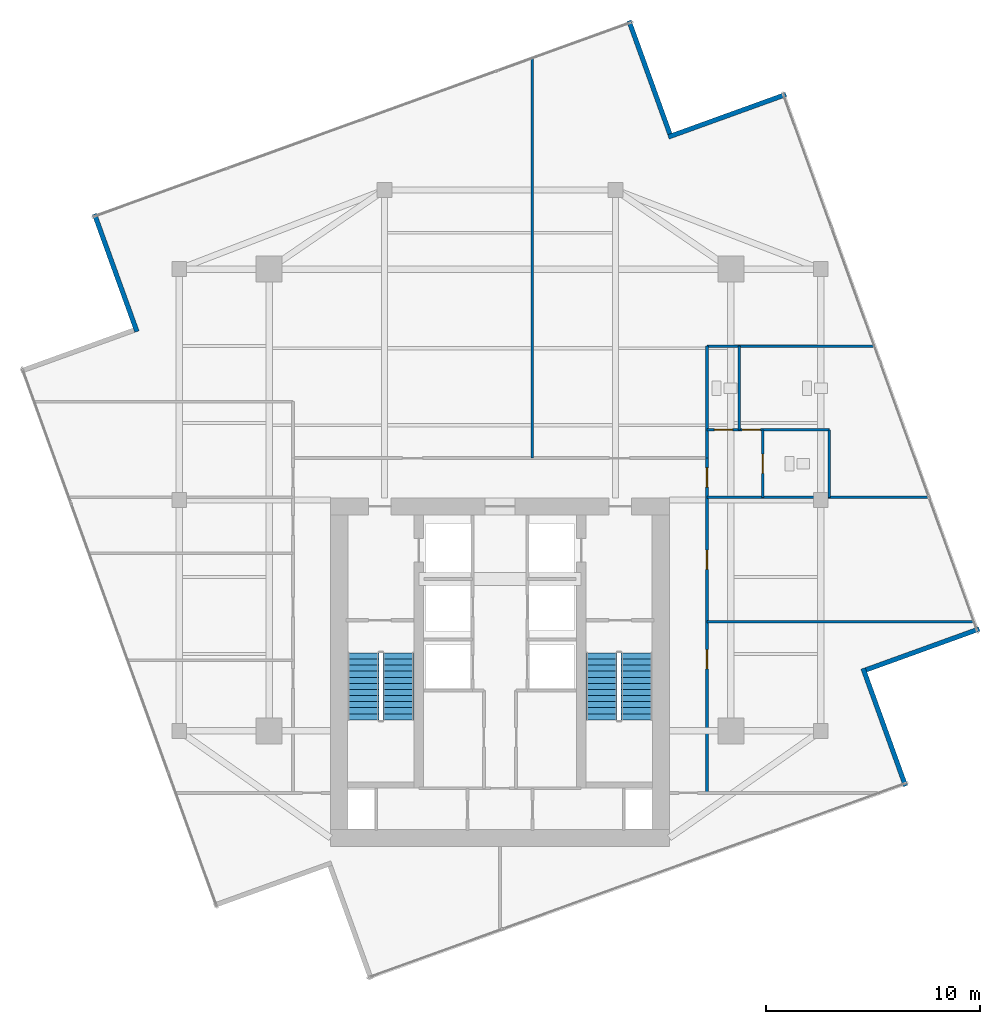
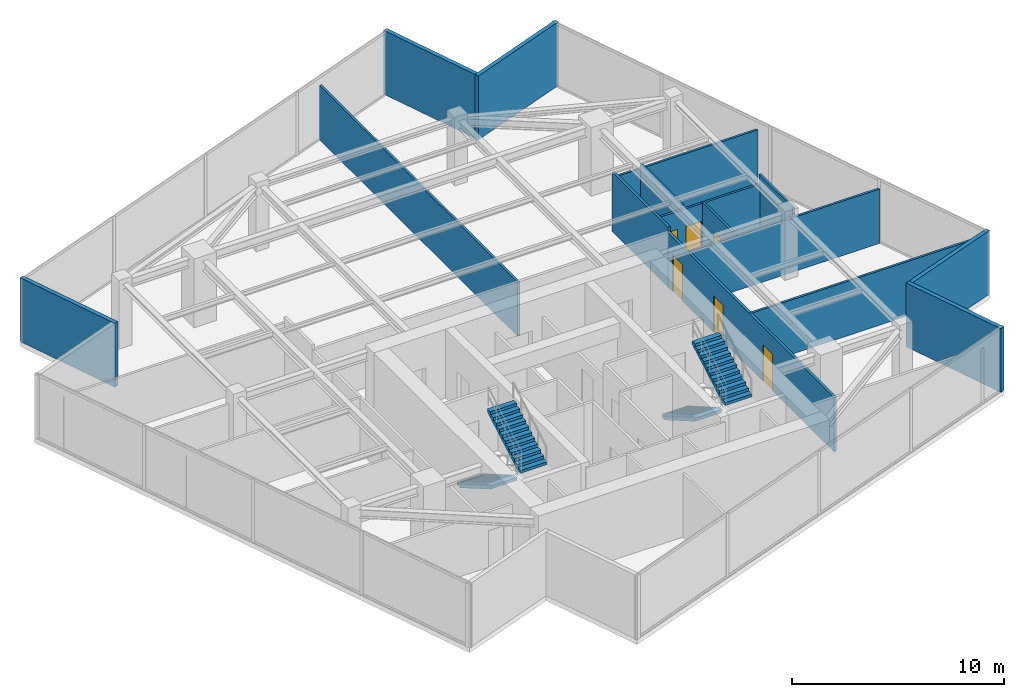
# One storey, part 19 of 21: 15 walls, 6 doors, 4 stair flights, 6 openings, 2 elements without a shape of their own.
"""IFC4 building model written with IfcOpenShell, lengths in metres."""

from ifc_helpers import new_model, si_unit, direction, frame, frame_2d, origin, place, context, subcontext, project, spatial, polyline, rectangle, outline, extrude, material, layer, layer_set, type_object, element, fill, aggregate, save


model = new_model("IFC4")

# Units and contexts
model_context = context("Model", 3, precision=1e-05, world=origin(), true_north=direction((0.0, 1.0)))
body_context = subcontext(model_context, "Body", "Model", "MODEL_VIEW")
ifc_project = project(units=[si_unit("LENGTHUNIT", "METRE"), si_unit("AREAUNIT", "SQUARE_METRE"), si_unit("VOLUMEUNIT", "CUBIC_METRE"), si_unit("PLANEANGLEUNIT", "RADIAN"), si_unit("MASSUNIT", "GRAM", prefix="KILO")], contexts=[model_context])

# Site, building, storey
site_placement = place(None, origin())
site = spatial("IfcSite", under=ifc_project, at=site_placement, CompositionType="ELEMENT")
building_placement = place(site_placement, origin())
building = spatial("IfcBuilding", under=site, at=building_placement, Name="Krantzveldt Concourse Tower", CompositionType="ELEMENT")
storey_placement = place(building_placement, frame((0.0, 0.0, 335.60009765625)))
storey = spatial("IfcBuildingStorey", under=building, at=storey_placement, Name="L82", CompositionType="ELEMENT", Elevation=335.60009765625)

# Walls
ifc_material_1 = material(Name="Anodised aluminium 6063-T6", Category="aluminium")
ifc_layer_1 = layer(ifc_material_1, 0.219970703125, Name="Anodised aluminium 6063-T6", Category="aluminium")
ifc_layer_set_1 = layer_set([ifc_layer_1], Name="Anodised aluminium 6063-T6 (WL-EXT-NOTCH220)")
wall_type_1 = type_object("IfcWallType", Name="WL-EXT-NOTCH220", PredefinedType="ELEMENTEDWALL", material=ifc_layer_set_1)
wall_1_placement = place(storey_placement, frame((43.94287109375, 43.820068359375, 0.0), z_axis=(0.0, 0.0, 1.0), x_axis=(-0.339968670636, 0.940436761822, 0.0)))
element("IfcWall", 1, at=wall_1_placement, inside=storey, type_object=wall_type_1, Name="EW-L82-NCH00", PredefinedType="ELEMENTEDWALL", context=body_context, shape_type="SweptSolid", body=[
    extrude(rectangle(XDim=5.625, YDim=0.219970703125, at=frame_2d((2.8125, 0.0))), origin(), (0.0, 0.0, 1.0), 3.669921875),
])
wall_2_placement = place(storey_placement, frame((17.03369140625, 40.07373046875, 0.0), z_axis=(0.0, 0.0, 1.0), x_axis=(0.339948253463, -0.940444142396, 0.0)))
element("IfcWall", 2, at=wall_2_placement, inside=storey, type_object=wall_type_1, Name="EW-L82-NCH02", PredefinedType="ELEMENTEDWALL", context=body_context, shape_type="SweptSolid", body=[
    extrude(rectangle(XDim=5.84521484375, YDim=0.219970703125, at=frame_2d((2.922607421875, 0.0))), origin(), (0.0, 0.0, 1.0), 3.669921875),
])
wall_3_placement = place(storey_placement, frame((54.96630859375, 13.326416015625, 0.0), z_axis=(0.0, 0.0, 1.0), x_axis=(-0.339961607222, 0.940439315222, 0.0)))
element("IfcWall", 3, at=wall_3_placement, inside=storey, type_object=wall_type_1, Name="EW-L82-NCH08", PredefinedType="ELEMENTEDWALL", context=body_context, shape_type="SweptSolid", body=[
    extrude(rectangle(XDim=5.844970703125, YDim=0.219970703125, at=frame_2d((2.92236328125, 0.0))), origin(), (0.0, 0.0, 1.0), 3.669921875),
])
wall_4_placement = place(storey_placement, frame((53.1201171875, 18.757080078125, 0.0), z_axis=(0.0, 0.0, 1.0), x_axis=(0.940431745156, 0.339982547644, 0.0)))
element("IfcWall", 4, at=wall_4_placement, inside=storey, type_object=wall_type_1, Name="EW-L82-NCH09", PredefinedType="ELEMENTEDWALL", context=body_context, shape_type="SweptSolid", body=[
    extrude(rectangle(XDim=5.624755859375, YDim=0.219970703125, at=frame_2d((2.8125, 0.0))), origin(), (0.0, 0.0, 1.0), 3.669921875),
])
wall_5_placement = place(storey_placement, frame((49.37353515625, 45.666259765625, 0.0), z_axis=(0.0, 0.0, 1.0), x_axis=(-0.940439315222, -0.339961607222, 0.0)))
element("IfcWall", 5, at=wall_5_placement, inside=storey, type_object=wall_type_1, Name="EW-L82-NCH11", PredefinedType="ELEMENTEDWALL", context=body_context, shape_type="SweptSolid", body=[
    extrude(rectangle(XDim=5.844970703125, YDim=0.219970703125, at=frame_2d((2.92236328125, 0.0))), origin(), (0.0, 0.0, 1.0), 3.669921875),
])
ifc_material_2 = material(Name="Fire-rated gypsum plasterboard on steel stud", Category="steel")
ifc_layer_2 = layer(ifc_material_2, 0.1201171875, Name="Fire-rated gypsum plasterboard on steel stud", Category="steel")
ifc_layer_set_2 = layer_set([ifc_layer_2], Name="Fire-rated gypsum plasterboard on steel stud (WL-PART-120)")
wall_type_2 = type_object("IfcWallType", Name="WL-PART-120", PredefinedType="PARTITIONING", material=ifc_layer_set_2)
wall_6_placement = place(storey_placement, frame((45.679931640625, 26.820068359375, 0.0), z_axis=(0.0, 0.0, 1.0), x_axis=(1.0, 0.0, 0.0)))
element("IfcWall", 6, at=wall_6_placement, inside=storey, type_object=wall_type_2, Name="WP-L82-WCBS", PredefinedType="PARTITIONING", context=body_context, shape_type="SweptSolid", body=[
    extrude(rectangle(XDim=10.38427734375, YDim=0.1201171875, at=frame_2d((5.192138671875, 0.0))), origin(), (0.0, 0.0, 1.0), 3.1298828125),
])
wall_7_placement = place(storey_placement, frame((45.679931640625, 33.89990234375, 0.0), z_axis=(0.0, 0.0, 1.0), x_axis=(1.0, 0.0, 0.0)))
element("IfcWall", 7, at=wall_7_placement, inside=storey, type_object=wall_type_2, Name="WP-L82-WCBN", PredefinedType="PARTITIONING", context=body_context, shape_type="SweptSolid", body=[
    extrude(rectangle(XDim=7.824951171875, YDim=0.1201171875, at=frame_2d((3.91259765625, 0.0))), origin(), (0.0, 0.0, 1.0), 3.1298828125),
])

# Wall, openings, doors
wall_8_placement = place(storey_placement, frame((45.679931640625, 29.97998046875, 0.0), z_axis=(0.0, 0.0, 1.0), x_axis=(1.0, 0.0, 0.0)))
wall_8 = element("IfcWall", 8, at=wall_8_placement, inside=storey, type_object=wall_type_2, Name="WP-L82-WCMH", PredefinedType="PARTITIONING", context=body_context, shape_type="SweptSolid", body=[
    extrude(rectangle(XDim=5.719970703125, YDim=0.1201171875, at=frame_2d((2.85986328125, 0.0))), origin(), (0.0, 0.0, 1.0), 3.1298828125),
])
opening_1_placement = place(wall_8_placement, frame((1.64501953125, 0.0, 0.0)))
opening_1 = element("IfcOpeningElement", 9, at=opening_1_placement, cuts=wall_8, Name="Opening D-IN085", PredefinedType="OPENING", context=body_context, shape_type="SweptSolid", body=[
    extrude(rectangle(XDim=0.85009765625, YDim=2.10009765625, at=frame_2d((0.425048828125, 1.050048828125))), frame((0.0, 0.070068359375, 0.0), z_axis=(0.0, -1.0, 0.0), x_axis=(1.0, 0.0, 0.0)), (0.0, 0.0, 1.0), 0.14013671875),
])
opening_2_placement = place(wall_8_placement, frame((0.344970703125, 0.0, 0.0)))
opening_2 = element("IfcOpeningElement", 10, at=opening_2_placement, cuts=wall_8, Name="Opening D-IN085", PredefinedType="OPENING", context=body_context, shape_type="SweptSolid", body=[
    extrude(rectangle(XDim=0.85009765625, YDim=2.10009765625, at=frame_2d((0.425048828125, 1.050048828125))), frame((0.0, 0.070068359375, 0.0), z_axis=(0.0, -1.0, 0.0), x_axis=(1.0, 0.0, 0.0)), (0.0, 0.0, 1.0), 0.14013671875),
])
ifc_material_3 = material(Name="Hardwood timber", Category="wood")
door_type_1 = type_object("IfcDoorType", Name="DR-INT-850", OperationType="SINGLE_SWING_LEFT", PredefinedType="DOOR", material=ifc_material_3)
door_1_placement = place(opening_1_placement, origin())
door_1 = element("IfcDoor", 11, at=door_1_placement, inside=storey, type_object=door_type_1, Name="DR-L82-WCM", OperationType="SINGLE_SWING_RIGHT", OverallHeight=2.10009765625, OverallWidth=0.85009765625, PredefinedType="DOOR", context=body_context, shape_type="SweptSolid", body=[
    extrude(rectangle(XDim=0.85009765625, YDim=2.10009765625, at=frame_2d((0.425048828125, 1.050048828125))), frame((0.0, 0.02490234375, 0.0), z_axis=(0.0, -1.0, 0.0), x_axis=(1.0, 0.0, 0.0)), (0.0, 0.0, 1.0), 0.050048828125),
])
fill(opening_1, door_1)
door_2_placement = place(opening_2_placement, origin())
door_2 = element("IfcDoor", 12, at=door_2_placement, inside=storey, type_object=door_type_1, Name="DR-L82-WCF", OperationType="SINGLE_SWING_LEFT", OverallHeight=2.10009765625, OverallWidth=0.85009765625, PredefinedType="DOOR", context=body_context, shape_type="SweptSolid", body=[
    extrude(rectangle(XDim=0.85009765625, YDim=2.10009765625, at=frame_2d((0.425048828125, 1.050048828125))), frame((0.0, 0.02490234375, 0.0), z_axis=(0.0, -1.0, 0.0), x_axis=(1.0, 0.0, 0.0)), (0.0, 0.0, 1.0), 0.050048828125),
])
fill(opening_2, door_2)

# Wall
wall_9_placement = place(storey_placement, frame((51.39990234375, 26.820068359375, 0.0), z_axis=(0.0, 0.0, 1.0), x_axis=(0.0, 1.0, 0.0)))
element("IfcWall", 13, at=wall_9_placement, inside=storey, type_object=wall_type_2, Name="WP-L82-WCAR", PredefinedType="PARTITIONING", context=body_context, shape_type="SweptSolid", body=[
    extrude(rectangle(XDim=3.159912109375, YDim=0.1201171875, at=frame_2d((1.580078125, 0.0))), origin(), (0.0, 0.0, 1.0), 3.669921875),
])

# Wall, opening, door
wall_10_placement = place(storey_placement, frame((48.280029296875, 26.820068359375, 0.0), z_axis=(0.0, 0.0, 1.0), x_axis=(0.0, 1.0, 0.0)))
wall_10 = element("IfcWall", 14, at=wall_10_placement, inside=storey, type_object=wall_type_2, Name="WP-L82-WCAV", PredefinedType="PARTITIONING", context=body_context, shape_type="SweptSolid", body=[
    extrude(rectangle(XDim=3.159912109375, YDim=0.1201171875, at=frame_2d((1.580078125, 0.0))), origin(), (0.0, 0.0, 1.0), 3.179931640625),
])
opening_3_placement = place(wall_10_placement, frame((1.1298828125, 0.0, 0.0)))
opening_3 = element("IfcOpeningElement", 15, at=opening_3_placement, cuts=wall_10, Name="Opening D-IN090", PredefinedType="OPENING", context=body_context, shape_type="SweptSolid", body=[
    extrude(rectangle(XDim=0.89990234375, YDim=2.10009765625, at=frame_2d((0.449951171875, 1.050048828125))), frame((0.0, 0.070068359375, 0.0), z_axis=(0.0, -1.0, 0.0), x_axis=(1.0, 0.0, 0.0)), (0.0, 0.0, 1.0), 0.14013671875),
])
door_type_2 = type_object("IfcDoorType", Name="DR-INT-900", OperationType="SINGLE_SWING_LEFT", PredefinedType="DOOR", material=ifc_material_3)
door_3_placement = place(opening_3_placement, origin())
door_3 = element("IfcDoor", 16, at=door_3_placement, inside=storey, type_object=door_type_2, Name="DR-L82-WCA", OperationType="SINGLE_SWING_RIGHT", OverallHeight=2.10009765625, OverallWidth=0.89990234375, PredefinedType="DOOR", context=body_context, shape_type="SweptSolid", body=[
    extrude(rectangle(XDim=0.89990234375, YDim=2.10009765625, at=frame_2d((0.449951171875, 1.050048828125))), frame((0.0, 0.02490234375, 0.0), z_axis=(0.0, -1.0, 0.0), x_axis=(1.0, 0.0, 0.0)), (0.0, 0.0, 1.0), 0.050048828125),
])
fill(opening_3, door_3)

# Walls
wall_11_placement = place(storey_placement, frame((47.179931640625, 29.97998046875, 0.0), z_axis=(0.0, 0.0, 1.0), x_axis=(0.0, 1.0, 0.0)))
element("IfcWall", 17, at=wall_11_placement, inside=storey, type_object=wall_type_2, Name="WP-L82-WCFD", PredefinedType="PARTITIONING", context=body_context, shape_type="SweptSolid", body=[
    extrude(rectangle(XDim=3.919921875, YDim=0.1201171875, at=frame_2d((1.9599609375, 0.0))), origin(), (0.0, 0.0, 1.0), 3.369873046875),
])
wall_12_placement = place(storey_placement, frame((37.5, 28.659912109375, 0.0), z_axis=(0.0, 0.0, 1.0), x_axis=(0.0, 1.0, 0.0)))
element("IfcWall", 18, at=wall_12_placement, inside=storey, type_object=wall_type_2, Name="WP-L82-ND1", PredefinedType="PARTITIONING", context=body_context, shape_type="SweptSolid", body=[
    extrude(rectangle(XDim=18.68994140625, YDim=0.1201171875, at=frame_2d((9.344970703125, 0.0))), origin(), (0.0, 0.0, 1.0), 3.1298828125),
])
wall_13_placement = place(storey_placement, frame((45.679931640625, 21.0, 0.0), z_axis=(0.0, 0.0, 1.0), x_axis=(1.0, 0.0, 0.0)))
element("IfcWall", 19, at=wall_13_placement, inside=storey, type_object=wall_type_2, Name="WP-L82-ED1", PredefinedType="PARTITIONING", context=body_context, shape_type="SweptSolid", body=[
    extrude(rectangle(XDim=12.48828125, YDim=0.1201171875, at=frame_2d((6.244140625, 0.0))), origin(), (0.0, 0.0, 1.0), 3.1298828125),
])

# Wall, openings, doors
ifc_layer_3 = layer(ifc_material_2, 0.139892578125, Name="Fire-rated gypsum plasterboard on steel stud", Category="steel")
ifc_layer_set_3 = layer_set([ifc_layer_3], Name="Fire-rated gypsum plasterboard on steel stud (WL-PART-140)")
wall_type_3 = type_object("IfcWallType", Name="WL-PART-140", PredefinedType="PARTITIONING", material=ifc_layer_set_3)
wall_14_placement = place(storey_placement, frame((45.679931640625, 13.0, 0.0), z_axis=(0.0, 0.0, 1.0), x_axis=(0.0, 1.0, 0.0)))
wall_14 = element("IfcWall", 20, at=wall_14_placement, inside=storey, type_object=wall_type_3, Name="WP-L82-CEAST", PredefinedType="PARTITIONING", context=body_context, shape_type="SweptSolid", body=[
    extrude(rectangle(XDim=15.659912109375, YDim=0.139892578125, at=frame_2d((7.830078125, 0.0))), origin(), (0.0, 0.0, 1.0), 3.1298828125),
])
opening_4_placement = place(wall_14_placement, frame((14.300048828125, 0.0, 0.0)))
opening_4 = element("IfcOpeningElement", 21, at=opening_4_placement, cuts=wall_14, Name="Opening D-IN090", PredefinedType="OPENING", context=body_context, shape_type="SweptSolid", body=[
    extrude(rectangle(XDim=0.89990234375, YDim=2.10009765625, at=frame_2d((0.449951171875, 1.050048828125))), frame((0.0, 0.080078125, 0.0), z_axis=(0.0, -1.0, 0.0), x_axis=(1.0, 0.0, 0.0)), (0.0, 0.0, 1.0), 0.159912109375),
])
opening_5_placement = place(wall_14_placement, frame((5.800048828125, 0.0, 0.0)))
opening_5 = element("IfcOpeningElement", 22, at=opening_5_placement, cuts=wall_14, Name="Opening D-IN090", PredefinedType="OPENING", context=body_context, shape_type="SweptSolid", body=[
    extrude(rectangle(XDim=0.89990234375, YDim=2.10009765625, at=frame_2d((0.449951171875, 1.050048828125))), frame((0.0, 0.080078125, 0.0), z_axis=(0.0, -1.0, 0.0), x_axis=(1.0, 0.0, 0.0)), (0.0, 0.0, 1.0), 0.159912109375),
])
opening_6_placement = place(wall_14_placement, frame((10.4599609375, 0.0, 0.0)))
opening_6 = element("IfcOpeningElement", 23, at=opening_6_placement, cuts=wall_14, Name="Opening D-IN090", PredefinedType="OPENING", context=body_context, shape_type="SweptSolid", body=[
    extrude(rectangle(XDim=0.89990234375, YDim=2.10009765625, at=frame_2d((0.449951171875, 1.050048828125))), frame((0.0, 0.080078125, 0.0), z_axis=(0.0, -1.0, 0.0), x_axis=(1.0, 0.0, 0.0)), (0.0, 0.0, 1.0), 0.159912109375),
])
door_4_placement = place(opening_4_placement, origin())
door_4 = element("IfcDoor", 24, at=door_4_placement, inside=storey, type_object=door_type_2, Name="DR-L82-WCV", OperationType="SINGLE_SWING_RIGHT", OverallHeight=2.10009765625, OverallWidth=0.89990234375, PredefinedType="DOOR", context=body_context, shape_type="SweptSolid", body=[
    extrude(rectangle(XDim=0.89990234375, YDim=2.10009765625, at=frame_2d((0.449951171875, 1.050048828125))), frame((0.0, 0.02490234375, 0.0), z_axis=(0.0, -1.0, 0.0), x_axis=(1.0, 0.0, 0.0)), (0.0, 0.0, 1.0), 0.050048828125),
])
fill(opening_4, door_4)
door_5_placement = place(opening_5_placement, origin())
door_5 = element("IfcDoor", 25, at=door_5_placement, inside=storey, type_object=door_type_2, Name="DR-L82-ER1", OperationType="SINGLE_SWING_LEFT", OverallHeight=2.10009765625, OverallWidth=0.89990234375, PredefinedType="DOOR", context=body_context, shape_type="SweptSolid", body=[
    extrude(rectangle(XDim=0.89990234375, YDim=2.10009765625, at=frame_2d((0.449951171875, 1.050048828125))), frame((0.0, 0.02490234375, 0.0), z_axis=(0.0, -1.0, 0.0), x_axis=(1.0, 0.0, 0.0)), (0.0, 0.0, 1.0), 0.050048828125),
])
fill(opening_5, door_5)
door_6_placement = place(opening_6_placement, origin())
door_6 = element("IfcDoor", 26, at=door_6_placement, inside=storey, type_object=door_type_2, Name="DR-L82-ER2", OperationType="SINGLE_SWING_LEFT", OverallHeight=2.10009765625, OverallWidth=0.89990234375, PredefinedType="DOOR", context=body_context, shape_type="SweptSolid", body=[
    extrude(rectangle(XDim=0.89990234375, YDim=2.10009765625, at=frame_2d((0.449951171875, 1.050048828125))), frame((0.0, 0.02490234375, 0.0), z_axis=(0.0, -1.0, 0.0), x_axis=(1.0, 0.0, 0.0)), (0.0, 0.0, 1.0), 0.050048828125),
])
fill(opening_6, door_6)

# Wall
wall_15_placement = place(storey_placement, frame((45.679931640625, 28.659912109375, 0.0), z_axis=(0.0, 0.0, 1.0), x_axis=(0.0, 1.0, 0.0)))
element("IfcWall", 27, at=wall_15_placement, inside=storey, type_object=wall_type_3, Name="WP-L82-NER", PredefinedType="PARTITIONING", context=body_context, shape_type="SweptSolid", body=[
    extrude(rectangle(XDim=5.239990234375, YDim=0.139892578125, at=frame_2d((2.6201171875, 0.0))), origin(), (0.0, 0.0, 1.0), 3.429931640625),
])

# Stair, stair flights
ifc_material_4 = material(Name="Precast concrete C40/50", Category="concrete")
stair_type = type_object("IfcStairType", Name="STR-CORE-DOGLEG", PredefinedType="HALF_TURN_STAIR", material=ifc_material_4)
stair_1_placement = place(storey_placement, origin())
stair_1 = element("IfcStair", 28, at=stair_1_placement, inside=storey, type_object=stair_type, Name="L82 Protected Escape Stair ST-1", PredefinedType="HALF_TURN_STAIR")
stair_flight_type = type_object("IfcStairFlightType", Name="STF-CORE-1450", PredefinedType="STRAIGHT", material=ifc_material_4)
stair_flight_1_placement = place(storey_placement, frame((29.60498046875, 19.550048828125, 0.0), z_axis=(0.0, 0.0, 1.0), x_axis=(0.0, -1.0, 0.0)))
stair_flight_1 = element("IfcStairFlight", 29, at=stair_flight_1_placement, type_object=stair_flight_type, Name="ST-1 flight 1", NumberOfRisers=12, NumberOfTreads=11, PredefinedType="STRAIGHT", RiserHeight=0.164583333, TreadLength=0.285, context=body_context, shape_type="SweptSolid", body=[
    extrude(outline(polyline([(0.0, 0.0), (0.0, 0.16455078125), (0.284912109375, 0.16455078125), (0.284912109375, 0.3291015625), (0.570068359375, 0.3291015625), (0.570068359375, 0.49365234375), (0.85498046875, 0.49365234375), (0.85498046875, 0.658447265625), (1.139892578125, 0.658447265625), (1.139892578125, 0.822998046875), (1.425048828125, 0.822998046875), (1.425048828125, 0.987548828125), (1.7099609375, 0.987548828125), (1.7099609375, 1.152099609375), (1.9951171875, 1.152099609375), (1.9951171875, 1.316650390625), (2.280029296875, 1.316650390625), (2.280029296875, 1.481201171875), (2.56494140625, 1.481201171875), (2.56494140625, 1.645751953125), (2.85009765625, 1.645751953125), (2.85009765625, 1.810302734375), (3.135009765625, 1.810302734375), (3.135009765625, 1.97509765625), (3.135009765625, 1.63720703125), (0.2998046875, 0.0), (0.0, 0.0)])), frame((0.0, 0.72509765625, 0.0), z_axis=(0.0, -1.0, 0.0), x_axis=(1.0, 0.0, 0.0)), (0.0, 0.0, 1.0), 1.449951171875),
])
stair_flight_2_placement = place(storey_placement, frame((31.2548828125, 16.4150390625, 1.974853515625), z_axis=(0.0, 0.0, 1.0), x_axis=(0.0, 1.0, 0.0)))
stair_flight_2 = element("IfcStairFlight", 30, at=stair_flight_2_placement, type_object=stair_flight_type, Name="ST-1 flight 2", NumberOfRisers=12, NumberOfTreads=11, PredefinedType="STRAIGHT", RiserHeight=0.164583333, TreadLength=0.285, context=body_context, shape_type="SweptSolid", body=[
    extrude(outline(polyline([(0.0, 0.0), (0.0, 0.16455078125), (0.284912109375, 0.16455078125), (0.284912109375, 0.3291015625), (0.570068359375, 0.3291015625), (0.570068359375, 0.49365234375), (0.85498046875, 0.49365234375), (0.85498046875, 0.658447265625), (1.139892578125, 0.658447265625), (1.139892578125, 0.822998046875), (1.425048828125, 0.822998046875), (1.425048828125, 0.987548828125), (1.7099609375, 0.987548828125), (1.7099609375, 1.152099609375), (1.9951171875, 1.152099609375), (1.9951171875, 1.316650390625), (2.280029296875, 1.316650390625), (2.280029296875, 1.481201171875), (2.56494140625, 1.481201171875), (2.56494140625, 1.645751953125), (2.85009765625, 1.645751953125), (2.85009765625, 1.810302734375), (3.135009765625, 1.810302734375), (3.135009765625, 1.97509765625), (3.135009765625, 1.63720703125), (0.2998046875, 0.0), (0.0, 0.0)])), frame((0.0, 0.72509765625, 0.0), z_axis=(0.0, -1.0, 0.0), x_axis=(1.0, 0.0, 0.0)), (0.0, 0.0, 1.0), 1.449951171875),
])
aggregate(stair_1, [stair_flight_1, stair_flight_2])

stair_2_placement = place(storey_placement, origin())
stair_2 = element("IfcStair", 31, at=stair_2_placement, inside=storey, type_object=stair_type, Name="L82 Protected Escape Stair ST-2", PredefinedType="HALF_TURN_STAIR")
stair_flight_3_placement = place(storey_placement, frame((40.7451171875, 19.550048828125, 0.0), z_axis=(0.0, 0.0, 1.0), x_axis=(0.0, -1.0, 0.0)))
stair_flight_3 = element("IfcStairFlight", 32, at=stair_flight_3_placement, type_object=stair_flight_type, Name="ST-2 flight 1", NumberOfRisers=12, NumberOfTreads=11, PredefinedType="STRAIGHT", RiserHeight=0.164583333, TreadLength=0.285, context=body_context, shape_type="SweptSolid", body=[
    extrude(outline(polyline([(0.0, 0.0), (0.0, 0.16455078125), (0.284912109375, 0.16455078125), (0.284912109375, 0.3291015625), (0.570068359375, 0.3291015625), (0.570068359375, 0.49365234375), (0.85498046875, 0.49365234375), (0.85498046875, 0.658447265625), (1.139892578125, 0.658447265625), (1.139892578125, 0.822998046875), (1.425048828125, 0.822998046875), (1.425048828125, 0.987548828125), (1.7099609375, 0.987548828125), (1.7099609375, 1.152099609375), (1.9951171875, 1.152099609375), (1.9951171875, 1.316650390625), (2.280029296875, 1.316650390625), (2.280029296875, 1.481201171875), (2.56494140625, 1.481201171875), (2.56494140625, 1.645751953125), (2.85009765625, 1.645751953125), (2.85009765625, 1.810302734375), (3.135009765625, 1.810302734375), (3.135009765625, 1.97509765625), (3.135009765625, 1.63720703125), (0.2998046875, 0.0), (0.0, 0.0)])), frame((0.0, 0.72509765625, 0.0), z_axis=(0.0, -1.0, 0.0), x_axis=(1.0, 0.0, 0.0)), (0.0, 0.0, 1.0), 1.449951171875),
])
stair_flight_4_placement = place(storey_placement, frame((42.39501953125, 16.4150390625, 1.974853515625), z_axis=(0.0, 0.0, 1.0), x_axis=(0.0, 1.0, 0.0)))
stair_flight_4 = element("IfcStairFlight", 33, at=stair_flight_4_placement, type_object=stair_flight_type, Name="ST-2 flight 2", NumberOfRisers=12, NumberOfTreads=11, PredefinedType="STRAIGHT", RiserHeight=0.164583333, TreadLength=0.285, context=body_context, shape_type="SweptSolid", body=[
    extrude(outline(polyline([(0.0, 0.0), (0.0, 0.16455078125), (0.284912109375, 0.16455078125), (0.284912109375, 0.3291015625), (0.570068359375, 0.3291015625), (0.570068359375, 0.49365234375), (0.85498046875, 0.49365234375), (0.85498046875, 0.658447265625), (1.139892578125, 0.658447265625), (1.139892578125, 0.822998046875), (1.425048828125, 0.822998046875), (1.425048828125, 0.987548828125), (1.7099609375, 0.987548828125), (1.7099609375, 1.152099609375), (1.9951171875, 1.152099609375), (1.9951171875, 1.316650390625), (2.280029296875, 1.316650390625), (2.280029296875, 1.481201171875), (2.56494140625, 1.481201171875), (2.56494140625, 1.645751953125), (2.85009765625, 1.645751953125), (2.85009765625, 1.810302734375), (3.135009765625, 1.810302734375), (3.135009765625, 1.97509765625), (3.135009765625, 1.63720703125), (0.2998046875, 0.0), (0.0, 0.0)])), frame((0.0, 0.72509765625, 0.0), z_axis=(0.0, -1.0, 0.0), x_axis=(1.0, 0.0, 0.0)), (0.0, 0.0, 1.0), 1.449951171875),
])
aggregate(stair_2, [stair_flight_3, stair_flight_4])

save(model, "model.ifc")
